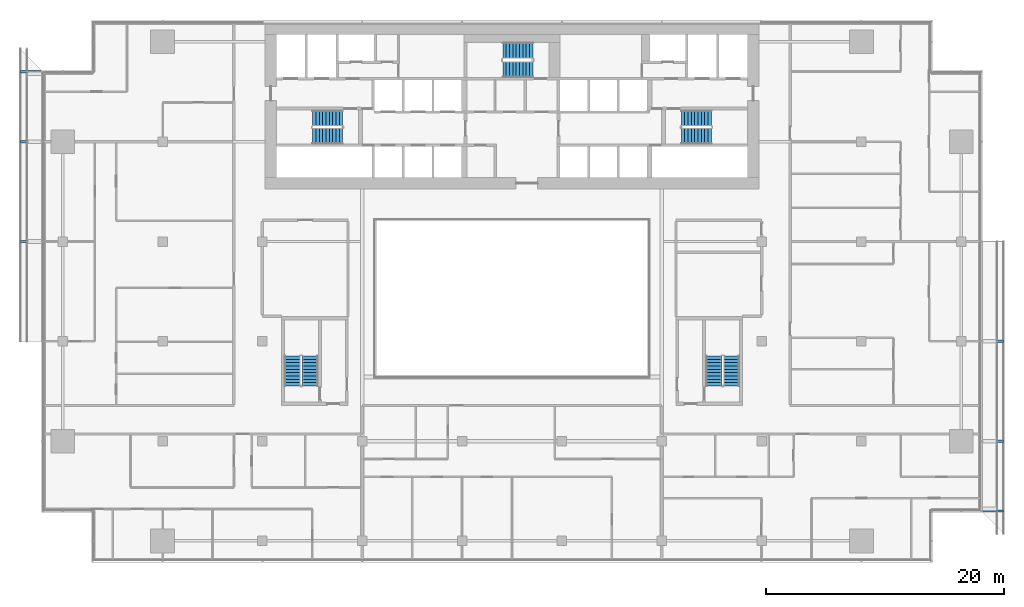
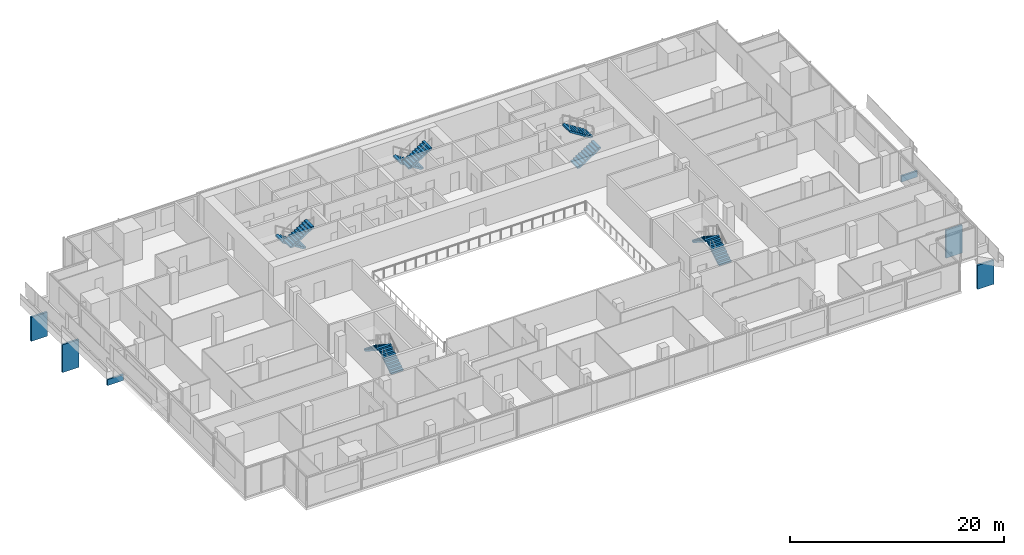
# One storey, part 22 of 25: 10 stair flights, 6 discrete accessories, 5 elements without a shape of their own.
"""IFC4 building model written with IfcOpenShell, lengths in metres."""

from ifc_helpers import new_model, si_unit, direction, frame, origin, origin_2d, place, context, subcontext, project, spatial, polyline, rectangle, outline, extrude, material, type_object, element, aggregate, save


model = new_model("IFC4")

# Units and contexts
model_context = context("Model", 3, precision=1e-05, world=origin(), true_north=direction((0.0, 1.0)))
body_context = subcontext(model_context, "Body", "Model", "MODEL_VIEW")
ifc_project = project(units=[si_unit("LENGTHUNIT", "METRE"), si_unit("AREAUNIT", "SQUARE_METRE"), si_unit("VOLUMEUNIT", "CUBIC_METRE"), si_unit("PLANEANGLEUNIT", "RADIAN"), si_unit("MASSUNIT", "GRAM", prefix="KILO")], contexts=[model_context])

# Site, building, storey
site_placement = place(None, origin())
site = spatial("IfcSite", under=ifc_project, at=site_placement, CompositionType="ELEMENT")
building_placement = place(site_placement, origin())
building = spatial("IfcBuilding", under=site, at=building_placement, Name="Saffron Gate Tower", CompositionType="ELEMENT")
storey_placement = place(building_placement, frame((0.0, 0.0, 131.25)))
storey = spatial("IfcBuildingStorey", under=building, at=storey_placement, Name="L31", CompositionType="ELEMENT", Elevation=131.25)

# Stair, stair flights
ifc_material = material(Name="Concrete C40", Category="concrete")
stair_type = type_object("IfcStairType", Name="ST7 Stair 1350 wide, 20 risers of 180", PredefinedType="HALF_TURN_STAIR", material=ifc_material)
stair_1_placement = place(storey_placement, origin())
stair_1 = element("IfcStair", 1, at=stair_1_placement, inside=storey, type_object=stair_type, Name="L31 Exit stair A", PredefinedType="HALF_TURN_STAIR")
stair_flight_type = type_object("IfcStairFlightType", Name="SF3 Stair flight 1350 wide, riser 180 going 280", PredefinedType="STRAIGHT", material=ifc_material)
stair_flight_1_placement = place(storey_placement, frame((73.35009765625, 67.375, 0.0), z_axis=(0.0, 0.0, 1.0), x_axis=(-1.0, 0.0, 0.0)))
stair_flight_1 = element("IfcStairFlight", 2, at=stair_flight_1_placement, type_object=stair_flight_type, Name="ST-A flight 1", NumberOfRisers=10, NumberOfTreads=9, PredefinedType="STRAIGHT", RiserHeight=0.18, TreadLength=0.28, context=body_context, shape_type="SweptSolid", body=[
    extrude(outline(polyline([(0.0, 0.0), (0.0, 0.179931640625), (0.280029296875, 0.179931640625), (0.280029296875, 0.360107421875), (0.56005859375, 0.360107421875), (0.56005859375, 0.5400390625), (0.840087890625, 0.5400390625), (0.840087890625, 0.719970703125), (1.1201171875, 0.719970703125), (1.1201171875, 0.89990234375), (1.39990234375, 0.89990234375), (1.39990234375, 1.080078125), (1.679931640625, 1.080078125), (1.679931640625, 1.260009765625), (1.9599609375, 1.260009765625), (1.9599609375, 1.43994140625), (2.239990234375, 1.43994140625), (2.239990234375, 1.6201171875), (2.52001953125, 1.6201171875), (2.52001953125, 1.800048828125), (2.52001953125, 1.44189453125), (0.277099609375, 0.0), (0.0, 0.0)])), frame((0.0, 0.675048828125, 0.0), z_axis=(0.0, -1.0, 0.0), x_axis=(1.0, 0.0, 0.0)), (0.0, 0.0, 1.0), 1.35009765625),
])
stair_flight_2_placement = place(storey_placement, frame((70.830078125, 65.875, 1.800048828125), z_axis=(0.0, 0.0, 1.0), x_axis=(1.0, 0.0, 0.0)))
stair_flight_2 = element("IfcStairFlight", 3, at=stair_flight_2_placement, type_object=stair_flight_type, Name="ST-A flight 2", NumberOfRisers=10, NumberOfTreads=9, PredefinedType="STRAIGHT", RiserHeight=0.18, TreadLength=0.28, context=body_context, shape_type="SweptSolid", body=[
    extrude(outline(polyline([(0.0, 0.0), (0.0, 0.179931640625), (0.280029296875, 0.179931640625), (0.280029296875, 0.360107421875), (0.56005859375, 0.360107421875), (0.56005859375, 0.5400390625), (0.840087890625, 0.5400390625), (0.840087890625, 0.719970703125), (1.1201171875, 0.719970703125), (1.1201171875, 0.89990234375), (1.39990234375, 0.89990234375), (1.39990234375, 1.080078125), (1.679931640625, 1.080078125), (1.679931640625, 1.260009765625), (1.9599609375, 1.260009765625), (1.9599609375, 1.43994140625), (2.239990234375, 1.43994140625), (2.239990234375, 1.6201171875), (2.52001953125, 1.6201171875), (2.52001953125, 1.800048828125), (2.52001953125, 1.44189453125), (0.277099609375, 0.0), (0.0, 0.0)])), frame((0.0, 0.675048828125, 0.0), z_axis=(0.0, -1.0, 0.0), x_axis=(1.0, 0.0, 0.0)), (0.0, 0.0, 1.0), 1.35009765625),
])
aggregate(stair_1, [stair_flight_1, stair_flight_2])

stair_2_placement = place(storey_placement, origin())
stair_2 = element("IfcStair", 4, at=stair_2_placement, inside=storey, type_object=stair_type, Name="L31 Exit stair B", PredefinedType="HALF_TURN_STAIR")
stair_flight_3_placement = place(storey_placement, frame((101.85009765625, 65.875, 0.0), z_axis=(0.0, 0.0, 1.0), x_axis=(1.0, 0.0, 0.0)))
stair_flight_3 = element("IfcStairFlight", 5, at=stair_flight_3_placement, type_object=stair_flight_type, Name="ST-B flight 1", NumberOfRisers=10, NumberOfTreads=9, PredefinedType="STRAIGHT", RiserHeight=0.18, TreadLength=0.28, context=body_context, shape_type="SweptSolid", body=[
    extrude(outline(polyline([(0.0, 0.0), (0.0, 0.179931640625), (0.280029296875, 0.179931640625), (0.280029296875, 0.360107421875), (0.56005859375, 0.360107421875), (0.56005859375, 0.5400390625), (0.840087890625, 0.5400390625), (0.840087890625, 0.719970703125), (1.1201171875, 0.719970703125), (1.1201171875, 0.89990234375), (1.39990234375, 0.89990234375), (1.39990234375, 1.080078125), (1.679931640625, 1.080078125), (1.679931640625, 1.260009765625), (1.9599609375, 1.260009765625), (1.9599609375, 1.43994140625), (2.239990234375, 1.43994140625), (2.239990234375, 1.6201171875), (2.52001953125, 1.6201171875), (2.52001953125, 1.800048828125), (2.52001953125, 1.44189453125), (0.277099609375, 0.0), (0.0, 0.0)])), frame((0.0, 0.675048828125, 0.0), z_axis=(0.0, -1.0, 0.0), x_axis=(1.0, 0.0, 0.0)), (0.0, 0.0, 1.0), 1.35009765625),
])
stair_flight_4_placement = place(storey_placement, frame((104.3701171875, 67.375, 1.800048828125), z_axis=(0.0, 0.0, 1.0), x_axis=(-1.0, 0.0, 0.0)))
stair_flight_4 = element("IfcStairFlight", 6, at=stair_flight_4_placement, type_object=stair_flight_type, Name="ST-B flight 2", NumberOfRisers=10, NumberOfTreads=9, PredefinedType="STRAIGHT", RiserHeight=0.18, TreadLength=0.28, context=body_context, shape_type="SweptSolid", body=[
    extrude(outline(polyline([(0.0, 0.0), (0.0, 0.179931640625), (0.280029296875, 0.179931640625), (0.280029296875, 0.360107421875), (0.56005859375, 0.360107421875), (0.56005859375, 0.5400390625), (0.840087890625, 0.5400390625), (0.840087890625, 0.719970703125), (1.1201171875, 0.719970703125), (1.1201171875, 0.89990234375), (1.39990234375, 0.89990234375), (1.39990234375, 1.080078125), (1.679931640625, 1.080078125), (1.679931640625, 1.260009765625), (1.9599609375, 1.260009765625), (1.9599609375, 1.43994140625), (2.239990234375, 1.43994140625), (2.239990234375, 1.6201171875), (2.52001953125, 1.6201171875), (2.52001953125, 1.800048828125), (2.52001953125, 1.44189453125), (0.277099609375, 0.0), (0.0, 0.0)])), frame((0.0, 0.675048828125, 0.0), z_axis=(0.0, -1.0, 0.0), x_axis=(1.0, 0.0, 0.0)), (0.0, 0.0, 1.0), 1.35009765625),
])
aggregate(stair_2, [stair_flight_3, stair_flight_4])

stair_3_placement = place(storey_placement, origin())
stair_3 = element("IfcStair", 7, at=stair_3_placement, inside=storey, type_object=stair_type, Name="L31 Exit stair C", PredefinedType="HALF_TURN_STAIR")
stair_flight_5_placement = place(storey_placement, frame((89.35009765625, 73.074951171875, 0.0), z_axis=(0.0, 0.0, 1.0), x_axis=(-1.0, 0.0, 0.0)))
stair_flight_5 = element("IfcStairFlight", 8, at=stair_flight_5_placement, type_object=stair_flight_type, Name="ST-C flight 1", NumberOfRisers=10, NumberOfTreads=9, PredefinedType="STRAIGHT", RiserHeight=0.18, TreadLength=0.28, context=body_context, shape_type="SweptSolid", body=[
    extrude(outline(polyline([(0.0, 0.0), (0.0, 0.179931640625), (0.280029296875, 0.179931640625), (0.280029296875, 0.360107421875), (0.56005859375, 0.360107421875), (0.56005859375, 0.5400390625), (0.840087890625, 0.5400390625), (0.840087890625, 0.719970703125), (1.1201171875, 0.719970703125), (1.1201171875, 0.89990234375), (1.39990234375, 0.89990234375), (1.39990234375, 1.080078125), (1.679931640625, 1.080078125), (1.679931640625, 1.260009765625), (1.9599609375, 1.260009765625), (1.9599609375, 1.43994140625), (2.239990234375, 1.43994140625), (2.239990234375, 1.6201171875), (2.52001953125, 1.6201171875), (2.52001953125, 1.800048828125), (2.52001953125, 1.44189453125), (0.277099609375, 0.0), (0.0, 0.0)])), frame((0.0, 0.675048828125, 0.0), z_axis=(0.0, -1.0, 0.0), x_axis=(1.0, 0.0, 0.0)), (0.0, 0.0, 1.0), 1.35009765625),
])
stair_flight_6_placement = place(storey_placement, frame((86.830078125, 71.47509765625, 1.800048828125), z_axis=(0.0, 0.0, 1.0), x_axis=(1.0, 0.0, 0.0)))
stair_flight_6 = element("IfcStairFlight", 9, at=stair_flight_6_placement, type_object=stair_flight_type, Name="ST-C flight 2", NumberOfRisers=10, NumberOfTreads=9, PredefinedType="STRAIGHT", RiserHeight=0.18, TreadLength=0.28, context=body_context, shape_type="SweptSolid", body=[
    extrude(outline(polyline([(0.0, 0.0), (0.0, 0.179931640625), (0.280029296875, 0.179931640625), (0.280029296875, 0.360107421875), (0.56005859375, 0.360107421875), (0.56005859375, 0.5400390625), (0.840087890625, 0.5400390625), (0.840087890625, 0.719970703125), (1.1201171875, 0.719970703125), (1.1201171875, 0.89990234375), (1.39990234375, 0.89990234375), (1.39990234375, 1.080078125), (1.679931640625, 1.080078125), (1.679931640625, 1.260009765625), (1.9599609375, 1.260009765625), (1.9599609375, 1.43994140625), (2.239990234375, 1.43994140625), (2.239990234375, 1.6201171875), (2.52001953125, 1.6201171875), (2.52001953125, 1.800048828125), (2.52001953125, 1.44189453125), (0.277099609375, 0.0), (0.0, 0.0)])), frame((0.0, 0.675048828125, 0.0), z_axis=(0.0, -1.0, 0.0), x_axis=(1.0, 0.0, 0.0)), (0.0, 0.0, 1.0), 1.35009765625),
])
aggregate(stair_3, [stair_flight_5, stair_flight_6])

stair_4_placement = place(storey_placement, origin())
stair_4 = element("IfcStair", 10, at=stair_4_placement, inside=storey, type_object=stair_type, Name="L31 Exit stair D", PredefinedType="HALF_TURN_STAIR")
stair_flight_7_placement = place(storey_placement, frame((70.625, 44.85009765625, 0.0), z_axis=(0.0, 0.0, 1.0), x_axis=(0.0, 1.0, 0.0)))
stair_flight_7 = element("IfcStairFlight", 11, at=stair_flight_7_placement, type_object=stair_flight_type, Name="ST-D flight 1", NumberOfRisers=10, NumberOfTreads=9, PredefinedType="STRAIGHT", RiserHeight=0.18, TreadLength=0.28, context=body_context, shape_type="SweptSolid", body=[
    extrude(outline(polyline([(0.0, 0.0), (0.0, 0.179931640625), (0.280029296875, 0.179931640625), (0.280029296875, 0.360107421875), (0.56005859375, 0.360107421875), (0.56005859375, 0.5400390625), (0.840087890625, 0.5400390625), (0.840087890625, 0.719970703125), (1.1201171875, 0.719970703125), (1.1201171875, 0.89990234375), (1.39990234375, 0.89990234375), (1.39990234375, 1.080078125), (1.679931640625, 1.080078125), (1.679931640625, 1.260009765625), (1.9599609375, 1.260009765625), (1.9599609375, 1.43994140625), (2.239990234375, 1.43994140625), (2.239990234375, 1.6201171875), (2.52001953125, 1.6201171875), (2.52001953125, 1.800048828125), (2.52001953125, 1.44189453125), (0.277099609375, 0.0), (0.0, 0.0)])), frame((0.0, 0.675048828125, 0.0), z_axis=(0.0, -1.0, 0.0), x_axis=(1.0, 0.0, 0.0)), (0.0, 0.0, 1.0), 1.35009765625),
])
stair_flight_8_placement = place(storey_placement, frame((69.125, 47.3701171875, 1.800048828125), z_axis=(0.0, 0.0, 1.0), x_axis=(0.0, -1.0, 0.0)))
stair_flight_8 = element("IfcStairFlight", 12, at=stair_flight_8_placement, type_object=stair_flight_type, Name="ST-D flight 2", NumberOfRisers=10, NumberOfTreads=9, PredefinedType="STRAIGHT", RiserHeight=0.18, TreadLength=0.28, context=body_context, shape_type="SweptSolid", body=[
    extrude(outline(polyline([(0.0, 0.0), (0.0, 0.179931640625), (0.280029296875, 0.179931640625), (0.280029296875, 0.360107421875), (0.56005859375, 0.360107421875), (0.56005859375, 0.5400390625), (0.840087890625, 0.5400390625), (0.840087890625, 0.719970703125), (1.1201171875, 0.719970703125), (1.1201171875, 0.89990234375), (1.39990234375, 0.89990234375), (1.39990234375, 1.080078125), (1.679931640625, 1.080078125), (1.679931640625, 1.260009765625), (1.9599609375, 1.260009765625), (1.9599609375, 1.43994140625), (2.239990234375, 1.43994140625), (2.239990234375, 1.6201171875), (2.52001953125, 1.6201171875), (2.52001953125, 1.800048828125), (2.52001953125, 1.44189453125), (0.277099609375, 0.0), (0.0, 0.0)])), frame((0.0, 0.675048828125, 0.0), z_axis=(0.0, -1.0, 0.0), x_axis=(1.0, 0.0, 0.0)), (0.0, 0.0, 1.0), 1.35009765625),
])
aggregate(stair_4, [stair_flight_7, stair_flight_8])

stair_5_placement = place(storey_placement, origin())
stair_5 = element("IfcStair", 13, at=stair_5_placement, inside=storey, type_object=stair_type, Name="L31 Exit stair E", PredefinedType="HALF_TURN_STAIR")
stair_flight_9_placement = place(storey_placement, frame((106.074951171875, 44.85009765625, 0.0), z_axis=(0.0, 0.0, 1.0), x_axis=(0.0, 1.0, 0.0)))
stair_flight_9 = element("IfcStairFlight", 14, at=stair_flight_9_placement, type_object=stair_flight_type, Name="ST-E flight 1", NumberOfRisers=10, NumberOfTreads=9, PredefinedType="STRAIGHT", RiserHeight=0.18, TreadLength=0.28, context=body_context, shape_type="SweptSolid", body=[
    extrude(outline(polyline([(0.0, 0.0), (0.0, 0.179931640625), (0.280029296875, 0.179931640625), (0.280029296875, 0.360107421875), (0.56005859375, 0.360107421875), (0.56005859375, 0.5400390625), (0.840087890625, 0.5400390625), (0.840087890625, 0.719970703125), (1.1201171875, 0.719970703125), (1.1201171875, 0.89990234375), (1.39990234375, 0.89990234375), (1.39990234375, 1.080078125), (1.679931640625, 1.080078125), (1.679931640625, 1.260009765625), (1.9599609375, 1.260009765625), (1.9599609375, 1.43994140625), (2.239990234375, 1.43994140625), (2.239990234375, 1.6201171875), (2.52001953125, 1.6201171875), (2.52001953125, 1.800048828125), (2.52001953125, 1.44189453125), (0.277099609375, 0.0), (0.0, 0.0)])), frame((0.0, 0.675048828125, 0.0), z_axis=(0.0, -1.0, 0.0), x_axis=(1.0, 0.0, 0.0)), (0.0, 0.0, 1.0), 1.35009765625),
])
stair_flight_10_placement = place(storey_placement, frame((104.574951171875, 47.3701171875, 1.800048828125), z_axis=(0.0, 0.0, 1.0), x_axis=(0.0, -1.0, 0.0)))
stair_flight_10 = element("IfcStairFlight", 15, at=stair_flight_10_placement, type_object=stair_flight_type, Name="ST-E flight 2", NumberOfRisers=10, NumberOfTreads=9, PredefinedType="STRAIGHT", RiserHeight=0.18, TreadLength=0.28, context=body_context, shape_type="SweptSolid", body=[
    extrude(outline(polyline([(0.0, 0.0), (0.0, 0.179931640625), (0.280029296875, 0.179931640625), (0.280029296875, 0.360107421875), (0.56005859375, 0.360107421875), (0.56005859375, 0.5400390625), (0.840087890625, 0.5400390625), (0.840087890625, 0.719970703125), (1.1201171875, 0.719970703125), (1.1201171875, 0.89990234375), (1.39990234375, 0.89990234375), (1.39990234375, 1.080078125), (1.679931640625, 1.080078125), (1.679931640625, 1.260009765625), (1.9599609375, 1.260009765625), (1.9599609375, 1.43994140625), (2.239990234375, 1.43994140625), (2.239990234375, 1.6201171875), (2.52001953125, 1.6201171875), (2.52001953125, 1.800048828125), (2.52001953125, 1.44189453125), (0.277099609375, 0.0), (0.0, 0.0)])), frame((0.0, 0.675048828125, 0.0), z_axis=(0.0, -1.0, 0.0), x_axis=(1.0, 0.0, 0.0)), (0.0, 0.0, 1.0), 1.35009765625),
])
aggregate(stair_5, [stair_flight_9, stair_flight_10])

# Discrete accessories
discrete_accessory_1_placement = place(storey_placement, frame((47.125, 71.280029296875, -3.8798828125), z_axis=(0.0, 0.0, 1.0), x_axis=(0.0, -1.0, 0.0)))
element("IfcDiscreteAccessory", 16, at=discrete_accessory_1_placement, inside=storey, Name="LEDGE rib", PredefinedType="BRACKET", context=body_context, shape_type="SweptSolid", body=[
    extrude(rectangle(XDim=0.199951171875, YDim=1.75, at=origin_2d()), origin(), (0.0, 0.0, 1.0), 2.7509765625),
])
discrete_accessory_2_placement = place(storey_placement, frame((47.125, 65.39990234375, -3.880126953125), z_axis=(0.0, 0.0, 1.0), x_axis=(0.0, -1.0, 0.0)))
element("IfcDiscreteAccessory", 17, at=discrete_accessory_2_placement, inside=storey, Name="LEDGE rib", PredefinedType="BRACKET", context=body_context, shape_type="SweptSolid", body=[
    extrude(rectangle(XDim=0.199951171875, YDim=1.75, at=origin_2d()), origin(), (0.0, 0.0, 1.0), 3.18115234375),
])
discrete_accessory_3_placement = place(storey_placement, frame((47.125, 57.0, -0.27978515625), z_axis=(0.0, 0.0, 1.0), x_axis=(0.0, -1.0, 0.0)))
element("IfcDiscreteAccessory", 18, at=discrete_accessory_3_placement, inside=storey, Name="LEDGE rib", PredefinedType="BRACKET", context=body_context, shape_type="SweptSolid", body=[
    extrude(rectangle(XDim=0.199951171875, YDim=1.75, at=origin_2d()), origin(), (0.0, 0.0, 1.0), 0.680419921875),
])
discrete_accessory_4_placement = place(storey_placement, frame((128.074951171875, 34.320068359375, -3.8798828125), z_axis=(0.0, 0.0, 1.0), x_axis=(0.0, 1.0, 0.0)))
element("IfcDiscreteAccessory", 19, at=discrete_accessory_4_placement, inside=storey, Name="LEDGE rib", PredefinedType="BRACKET", context=body_context, shape_type="SweptSolid", body=[
    extrude(rectangle(XDim=0.199951171875, YDim=1.75, at=origin_2d()), origin(), (0.0, 0.0, 1.0), 2.7509765625),
])
discrete_accessory_5_placement = place(storey_placement, frame((128.074951171875, 40.199951171875, -3.880126953125), z_axis=(0.0, 0.0, 1.0), x_axis=(0.0, 1.0, 0.0)))
element("IfcDiscreteAccessory", 20, at=discrete_accessory_5_placement, inside=storey, Name="LEDGE rib", PredefinedType="BRACKET", context=body_context, shape_type="SweptSolid", body=[
    extrude(rectangle(XDim=0.199951171875, YDim=1.75, at=origin_2d()), origin(), (0.0, 0.0, 1.0), 3.18115234375),
])
discrete_accessory_6_placement = place(storey_placement, frame((128.074951171875, 48.60009765625, -0.27978515625), z_axis=(0.0, 0.0, 1.0), x_axis=(0.0, 1.0, 0.0)))
element("IfcDiscreteAccessory", 21, at=discrete_accessory_6_placement, inside=storey, Name="LEDGE rib", PredefinedType="BRACKET", context=body_context, shape_type="SweptSolid", body=[
    extrude(rectangle(XDim=0.199951171875, YDim=1.75, at=origin_2d()), origin(), (0.0, 0.0, 1.0), 0.680419921875),
])

save(model, "model.ifc")
